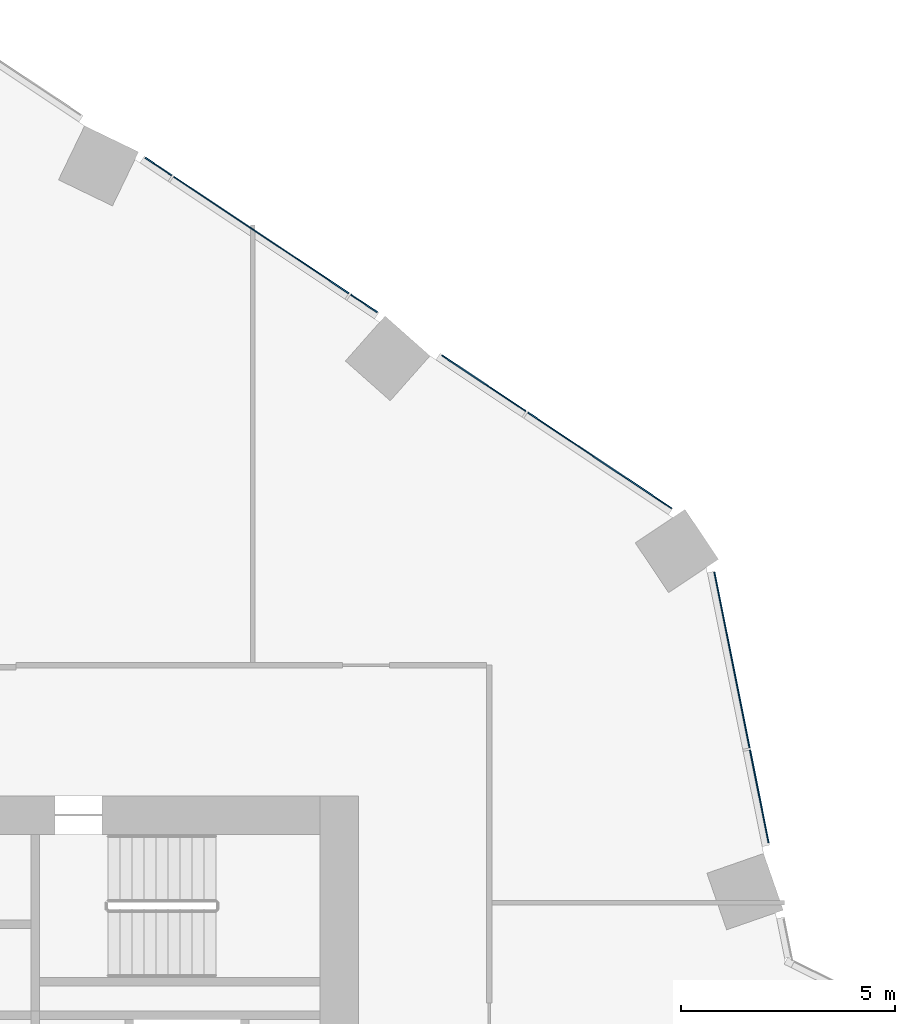
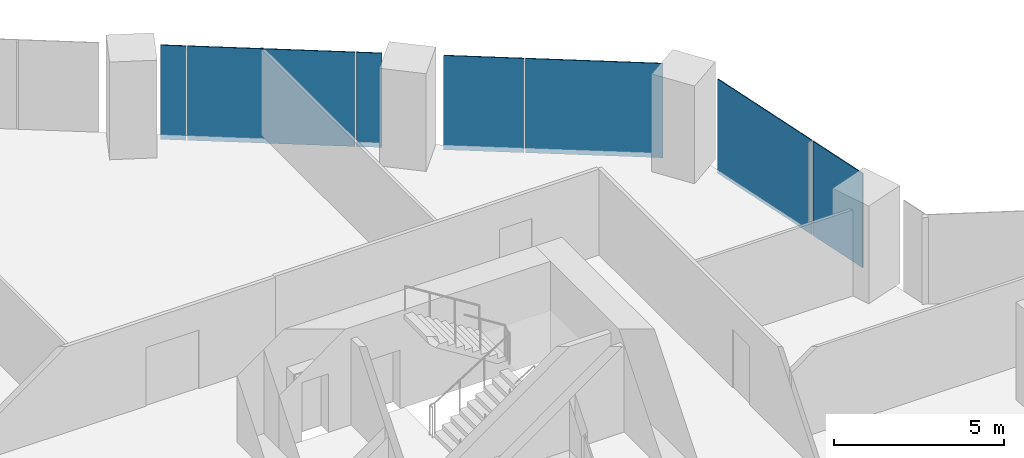
# One storey, part 25 of 38: 7 plates, 2 elements without a shape of their own.
"""IFC4 building model written with IfcOpenShell, lengths in metres."""

from ifc_helpers import new_model, si_unit, direction, frame, origin, origin_2d, place, context, subcontext, project, spatial, rectangle, extrude, material, layer, layer_set, type_object, element, aggregate, save


model = new_model("IFC4")

# Units and contexts
model_context = context("Model", 3, precision=1e-05, world=origin(), true_north=direction((0.0, 1.0)))
body_context = subcontext(model_context, "Body", "Model", "MODEL_VIEW")
ifc_project = project(units=[si_unit("LENGTHUNIT", "METRE"), si_unit("AREAUNIT", "SQUARE_METRE"), si_unit("VOLUMEUNIT", "CUBIC_METRE"), si_unit("PLANEANGLEUNIT", "RADIAN"), si_unit("MASSUNIT", "GRAM", prefix="KILO")], contexts=[model_context])

# Site, building, storey
site_placement = place(None, origin())
site = spatial("IfcSite", under=ifc_project, at=site_placement, CompositionType="ELEMENT")
building_placement = place(site_placement, origin())
building = spatial("IfcBuilding", under=site, at=building_placement, Name="Orlundy Tower", CompositionType="ELEMENT")
storey_placement = place(building_placement, frame((0.0, 0.0, 62.300048828125)))
storey = spatial("IfcBuildingStorey", under=building, at=storey_placement, Name="L14", CompositionType="ELEMENT", Elevation=62.300048828125)

# Curtain wall, plates
ifc_material_1 = material(Name="Aluminium bronze anodised", Category="aluminium")
curtain_wall_type = type_object("IfcCurtainWallType", Name="CW1 wall", PredefinedType="NOTDEFINED", material=ifc_material_1)
curtain_wall_1_placement = place(storey_placement, origin())
curtain_wall_1 = element("IfcCurtainWall", 1, at=curtain_wall_1_placement, inside=storey, type_object=curtain_wall_type, Name="CW1 run 016", PredefinedType="NOTDEFINED")
ifc_material_2 = material(Name="Tinted glass", Category="glass")
ifc_layer = layer(ifc_material_2, 0.031982421875)
ifc_layer_set = layer_set([ifc_layer], Name="CW1 glass panel 32")
plate_type = type_object("IfcPlateType", Name="CW1 glass panel 32", PredefinedType="CURTAIN_PANEL", material=ifc_layer_set)
plate_1_placement = place(storey_placement, frame((14.322265625, 26.703369140625, -0.280029296875), z_axis=(0.0, 0.0, 1.0), x_axis=(0.832279269513, -0.554356579774, 0.0)))
plate_1 = element("IfcPlate", 2, at=plate_1_placement, type_object=plate_type, Name="CW1 panel", PredefinedType="CURTAIN_PANEL", context=body_context, shape_type="SweptSolid", body=[
    extrude(rectangle(XDim=0.745849609375, YDim=0.031982421875, at=origin_2d()), origin(), (0.0, 0.0, 1.0), 3.3798828125),
])
plate_2_placement = place(storey_placement, frame((16.721923828125, 25.10498046875, -0.280029296875), z_axis=(0.0, 0.0, 1.0), x_axis=(0.832279269513, -0.554356579774, 0.0)))
plate_2 = element("IfcPlate", 3, at=plate_2_placement, type_object=plate_type, Name="CW1 panel", PredefinedType="CURTAIN_PANEL", context=body_context, shape_type="SweptSolid", body=[
    extrude(rectangle(XDim=4.92041015625, YDim=0.031982421875, at=origin_2d()), origin(), (0.0, 0.0, 1.0), 3.3798828125),
])
plate_3_placement = place(storey_placement, frame((19.12158203125, 23.506591796875, -0.280029296875), z_axis=(0.0, 0.0, 1.0), x_axis=(0.832279269513, -0.554356579774, 0.0)))
plate_3 = element("IfcPlate", 4, at=plate_3_placement, type_object=plate_type, Name="CW1 panel", PredefinedType="CURTAIN_PANEL", context=body_context, shape_type="SweptSolid", body=[
    extrude(rectangle(XDim=0.74609375, YDim=0.031982421875, at=origin_2d()), origin(), (0.0, 0.0, 1.0), 3.3798828125),
])
plate_4_placement = place(storey_placement, frame((21.92529296875, 21.63916015625, -0.280029296875), z_axis=(0.0, 0.0, 1.0), x_axis=(0.832279269513, -0.554356579774, 0.0)))
plate_4 = element("IfcPlate", 5, at=plate_4_placement, type_object=plate_type, Name="CW1 panel", PredefinedType="CURTAIN_PANEL", context=body_context, shape_type="SweptSolid", body=[
    extrude(rectangle(XDim=2.357421875, YDim=0.031982421875, at=origin_2d()), origin(), (0.0, 0.0, 1.0), 3.3798828125),
])
plate_5_placement = place(storey_placement, frame((24.629150390625, 19.83837890625, -0.280029296875), z_axis=(0.0, 0.0, 1.0), x_axis=(0.832279269513, -0.554356579774, 0.0)))
plate_5 = element("IfcPlate", 6, at=plate_5_placement, type_object=plate_type, Name="CW1 panel", PredefinedType="CURTAIN_PANEL", context=body_context, shape_type="SweptSolid", body=[
    extrude(rectangle(XDim=4.039794921875, YDim=0.031982421875, at=origin_2d()), origin(), (0.0, 0.0, 1.0), 3.3798828125),
])
aggregate(curtain_wall_1, [plate_1, plate_2, plate_3, plate_4, plate_5])

curtain_wall_2_placement = place(storey_placement, origin())
curtain_wall_2 = element("IfcCurtainWall", 7, at=curtain_wall_2_placement, inside=storey, type_object=curtain_wall_type, Name="CW1 run 017", PredefinedType="NOTDEFINED")
plate_6_placement = place(storey_placement, frame((27.723388671875, 15.17041015625, -0.280029296875), z_axis=(0.0, 0.0, 1.0), x_axis=(0.196529373401, -0.980497937474, 0.0)))
plate_6 = element("IfcPlate", 8, at=plate_6_placement, type_object=plate_type, Name="CW1 panel", PredefinedType="CURTAIN_PANEL", context=body_context, shape_type="SweptSolid", body=[
    extrude(rectangle(XDim=4.18701171875, YDim=0.031982421875, at=origin_2d()), origin(), (0.0, 0.0, 1.0), 3.3798828125),
])
plate_7_placement = place(storey_placement, frame((28.36181640625, 11.985595703125, -0.280029296875), z_axis=(0.0, 0.0, 1.0), x_axis=(0.196529373401, -0.980497937474, 0.0)))
plate_7 = element("IfcPlate", 9, at=plate_7_placement, type_object=plate_type, Name="CW1 panel", PredefinedType="CURTAIN_PANEL", context=body_context, shape_type="SweptSolid", body=[
    extrude(rectangle(XDim=2.20947265625, YDim=0.031982421875, at=origin_2d()), origin(), (0.0, 0.0, 1.0), 3.3798828125),
])
aggregate(curtain_wall_2, [plate_6, plate_7])

save(model, "model.ifc")
